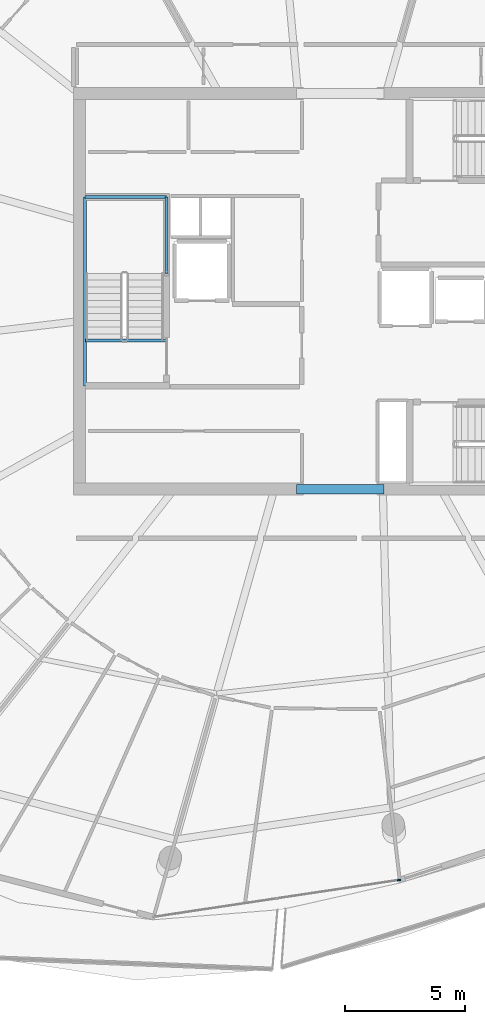
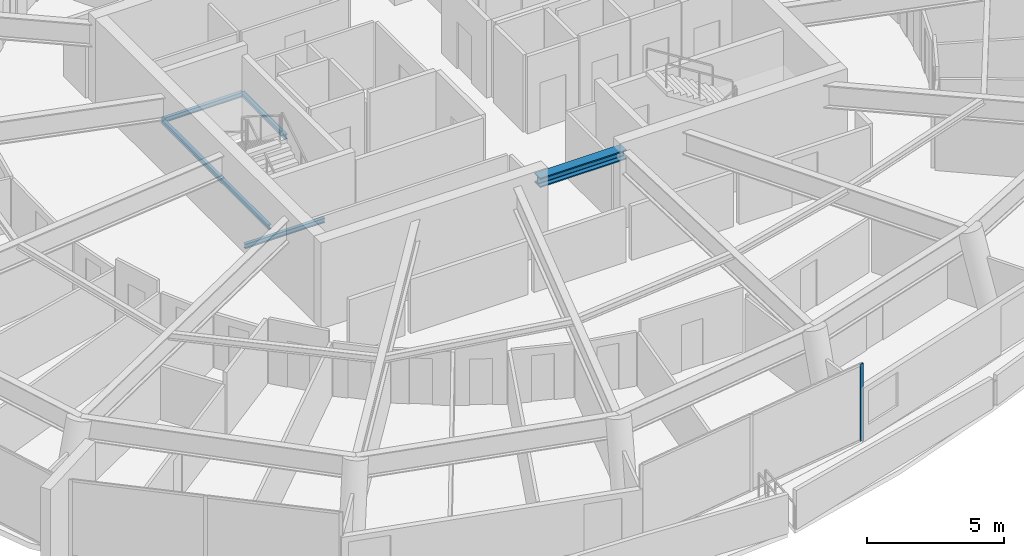
# One storey, part 9 of 30: 5 beams, 1 member, 1 element without a shape of its own.
"""IFC4 building model written with IfcOpenShell, lengths in metres."""

from ifc_helpers import new_model, si_unit, direction, frame, origin, origin_2d, place, context, subcontext, project, spatial, rectangle, i_section, extrude, material, layer, layer_set, material_profile, profile_set, type_object, element, aggregate, save


model = new_model("IFC4")

# Units and contexts
model_context = context("Model", 3, precision=1e-05, world=origin(), true_north=direction((0.0, 1.0)))
body_context = subcontext(model_context, "Body", "Model", "MODEL_VIEW")
ifc_project = project(units=[si_unit("LENGTHUNIT", "METRE"), si_unit("AREAUNIT", "SQUARE_METRE"), si_unit("VOLUMEUNIT", "CUBIC_METRE"), si_unit("PLANEANGLEUNIT", "RADIAN"), si_unit("MASSUNIT", "GRAM", prefix="KILO")], contexts=[model_context])

# Site, building, storey
site_placement = place(None, origin())
site = spatial("IfcSite", under=ifc_project, at=site_placement, CompositionType="ELEMENT")
building_placement = place(site_placement, origin())
building = spatial("IfcBuilding", under=site, at=building_placement, Name="Kazma Halo Residences", CompositionType="ELEMENT")
storey_placement = place(building_placement, frame((0.0, 0.0, 302.14990234375)))
storey = spatial("IfcBuildingStorey", under=building, at=storey_placement, Name="L76", CompositionType="ELEMENT", Elevation=302.14990234375)

# Beams
ifc_material_1 = material(Name="Steel S355", Category="steel")
ifc_material_profile_1 = material_profile(ifc_material_1, i_section(OverallWidth=0.408935546875, OverallDepth=0.425048828125, WebThickness=0.03271484375, FlangeThickness=0.052490234375, FilletRadius=0.02001953125, at=origin_2d()), Name="W360x421")
ifc_profile_set_1 = profile_set([ifc_material_profile_1], Name="Steel S355")
beam_type_1 = type_object("IfcBeamType", Name="BM-CORE-W360H", PredefinedType="BEAM", material=ifc_profile_set_1)
beam_1_placement = place(storey_placement, frame((46.60009765625, 33.75, 3.237548828125), z_axis=(1.0, 0.0, 0.0), x_axis=(0.0, 1.0, 0.0)))
element("IfcBeam", 1, at=beam_1_placement, inside=storey, type_object=beam_type_1, Name="L76 core coupling beam S", PredefinedType="BEAM", context=body_context, shape_type="SweptSolid", body=[
    extrude(i_section(OverallWidth=0.408935546875, OverallDepth=0.425048828125, WebThickness=0.03271484375, FlangeThickness=0.052490234375, FilletRadius=0.02001953125, at=origin_2d()), origin(), (0.0, 0.0, 1.0), 3.64990234375),
])
ifc_material_profile_2 = material_profile(ifc_material_1, i_section(OverallWidth=0.133056640625, OverallDepth=0.20703125, WebThickness=0.005859375, FlangeThickness=0.00830078125, FilletRadius=0.010009765625, at=origin_2d()), Name="W200x26.6")
ifc_profile_set_2 = profile_set([ifc_material_profile_2], Name="Steel S355")
beam_type_2 = type_object("IfcBeamType", Name="BM-TRIM-W200", PredefinedType="BEAM", material=ifc_profile_set_2)
beam_2_placement = place(storey_placement, frame((37.800048828125, 39.949951171875, -0.369873046875), z_axis=(1.0, 0.0, 0.0), x_axis=(0.0, 1.0, 0.0)))
element("IfcBeam", 2, at=beam_2_placement, inside=storey, type_object=beam_type_2, Name="L76 ST-01 floor landing support beam", PredefinedType="BEAM", context=body_context, shape_type="SweptSolid", body=[
    extrude(i_section(OverallWidth=0.133056640625, OverallDepth=0.20703125, WebThickness=0.005859375, FlangeThickness=0.00830078125, FilletRadius=0.010009765625, at=origin_2d()), origin(), (0.0, 0.0, 1.0), 3.3798828125),
])
beam_3_placement = place(storey_placement, frame((37.780029296875, 38.06005859375, 1.6201171875), z_axis=(0.0, 1.0, 0.0), x_axis=(-1.0, 0.0, 0.0)))
element("IfcBeam", 3, at=beam_3_placement, inside=storey, type_object=beam_type_2, Name="L76 ST-01 landing west wall ledger", PredefinedType="BEAM", context=body_context, shape_type="SweptSolid", body=[
    extrude(i_section(OverallWidth=0.133056640625, OverallDepth=0.20703125, WebThickness=0.005859375, FlangeThickness=0.00830078125, FilletRadius=0.010009765625, at=origin_2d()), origin(), (0.0, 0.0, 1.0), 7.8798828125),
])
beam_4_placement = place(storey_placement, frame((41.179931640625, 42.75, 1.6201171875), z_axis=(0.0, 1.0, 0.0), x_axis=(-1.0, 0.0, 0.0)))
element("IfcBeam", 4, at=beam_4_placement, inside=storey, type_object=beam_type_2, Name="L76 ST-01 landing east wall ledger", PredefinedType="BEAM", context=body_context, shape_type="SweptSolid", body=[
    extrude(i_section(OverallWidth=0.133056640625, OverallDepth=0.20703125, WebThickness=0.005859375, FlangeThickness=0.00830078125, FilletRadius=0.010009765625, at=origin_2d()), origin(), (0.0, 0.0, 1.0), 3.18994140625),
])
beam_5_placement = place(storey_placement, frame((37.780029296875, 45.93994140625, 1.6201171875), z_axis=(1.0, 0.0, 0.0), x_axis=(0.0, 1.0, 0.0)))
element("IfcBeam", 5, at=beam_5_placement, inside=storey, type_object=beam_type_2, Name="L76 ST-01 landing end wall ledger", PredefinedType="BEAM", context=body_context, shape_type="SweptSolid", body=[
    extrude(i_section(OverallWidth=0.133056640625, OverallDepth=0.20703125, WebThickness=0.005859375, FlangeThickness=0.00830078125, FilletRadius=0.010009765625, at=origin_2d()), origin(), (0.0, 0.0, 1.0), 3.39990234375),
])

# Curtain wall, member
ifc_material_2 = material(Name="Aluminium AW-6063 T6 and Triple-Silver Low-E Glass", Category="aluminium")
ifc_layer = layer(ifc_material_2, 0.139892578125)
ifc_layer_set = layer_set([ifc_layer], Name="Aluminium AW-6063 T6 and Triple-Silver Low-E Glass")
curtain_wall_type = type_object("IfcCurtainWallType", Name="CW-SYS-5", PredefinedType="NOTDEFINED", material=ifc_layer_set)
curtain_wall_placement = place(storey_placement, origin())
curtain_wall = element("IfcCurtainWall", 6, at=curtain_wall_placement, inside=storey, type_object=curtain_wall_type, Name="L76 unitised curtain wall B11", PredefinedType="NOTDEFINED")
ifc_material_3 = material(Name="Aluminium AW-6063 T6", Category="aluminium")
ifc_material_profile_3 = material_profile(ifc_material_3, rectangle(XDim=0.06005859375, YDim=0.139892578125, at=origin_2d()), Name="CWM-60x140")
ifc_profile_set_3 = profile_set([ifc_material_profile_3], Name="Aluminium AW-6063 T6")
member_type = type_object("IfcMemberType", Name="CW-SYS-5-MUL", PredefinedType="MULLION", material=ifc_profile_set_3)
member_placement = place(storey_placement, frame((50.875732421875, 17.447265625, 0.0), z_axis=(0.0, 0.0, 1.0), x_axis=(-0.148697080374, 0.988882792998, 0.0)))
member = element("IfcMember", 7, at=member_placement, type_object=member_type, Name="CWS-5 mullion 3", PredefinedType="MULLION", context=body_context, shape_type="SweptSolid", body=[
    extrude(rectangle(XDim=0.06005859375, YDim=0.139892578125, at=origin_2d()), origin(), (0.0, 0.0, 1.0), 3.4501953125),
])
aggregate(curtain_wall, [member])

save(model, "model.ifc")
